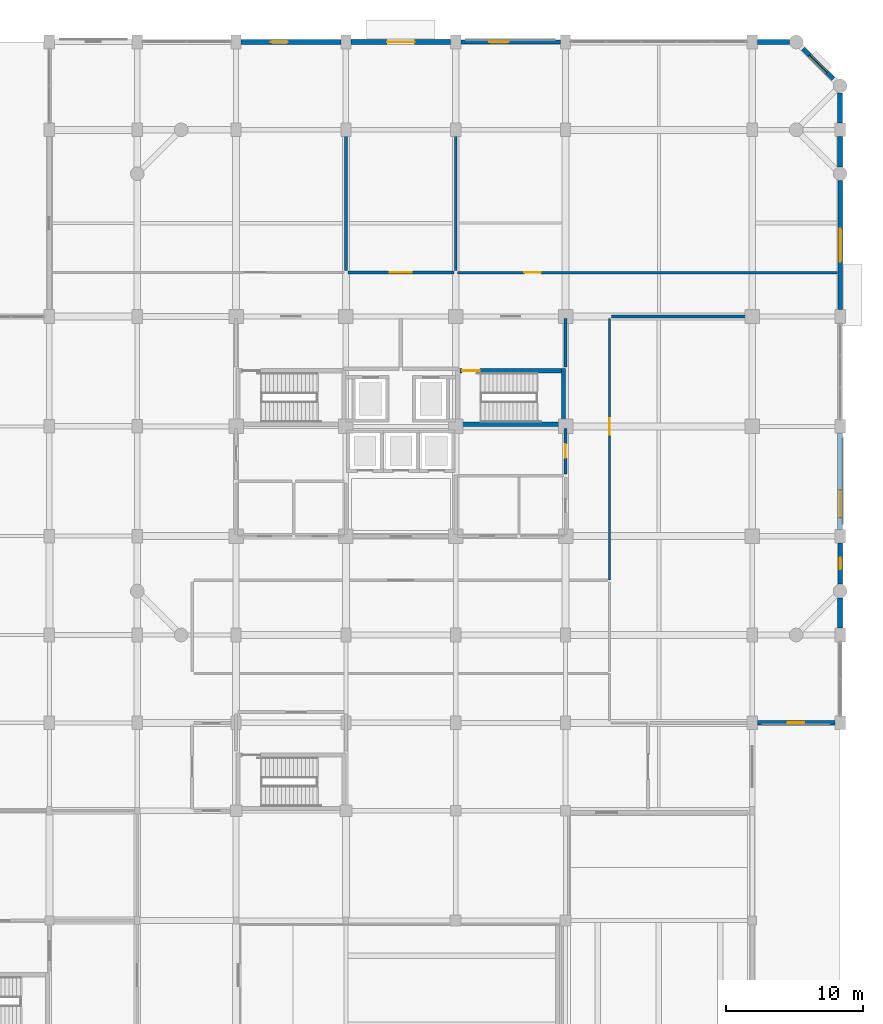
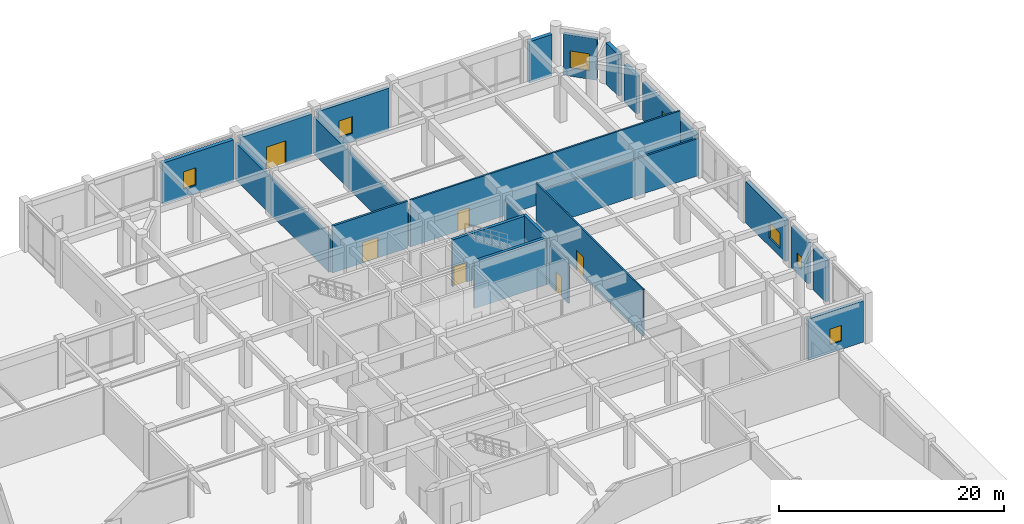
# One storey, part 34 of 40: 23 walls, 7 windows, 6 doors, 13 openings.
"""IFC4 building model written with IfcOpenShell, lengths in metres."""

from ifc_helpers import new_model, si_unit, direction, frame, frame_2d, origin, place, context, subcontext, project, spatial, rectangle, extrude, material, layer, layer_set, type_object, element, fill, save


model = new_model("IFC4")

# Units and contexts
model_context = context("Model", 3, precision=1e-05, world=origin(), true_north=direction((0.0, 1.0)))
body_context = subcontext(model_context, "Body", "Model", "MODEL_VIEW")
ifc_project = project(units=[si_unit("LENGTHUNIT", "METRE"), si_unit("AREAUNIT", "SQUARE_METRE"), si_unit("VOLUMEUNIT", "CUBIC_METRE"), si_unit("PLANEANGLEUNIT", "RADIAN"), si_unit("MASSUNIT", "GRAM", prefix="KILO")], contexts=[model_context])

# Site, building, storey
site_placement = place(None, origin())
site = spatial("IfcSite", under=ifc_project, at=site_placement, CompositionType="ELEMENT")
building_placement = place(site_placement, origin())
building = spatial("IfcBuilding", under=site, at=building_placement, Name="Vellmiral Cinema and Media Centre", CompositionType="ELEMENT")
storey_placement = place(building_placement, origin())
storey = spatial("IfcBuildingStorey", under=building, at=storey_placement, Name="L00", CompositionType="ELEMENT", Elevation=0.0)

# Wall, opening, door
ifc_material_1 = material(Name="Concrete C40/50", Category="concrete")
ifc_layer_1 = layer(ifc_material_1, 0.2099609375, Name="Concrete C40/50")
ifc_layer_set_1 = layer_set([ifc_layer_1], Name="Concrete C40/50")
wall_type_1 = type_object("IfcWallType", Name="WL-COMP-210", PredefinedType="SOLIDWALL", material=ifc_layer_set_1)
wall_1_placement = place(storey_placement, frame((148.0, 83.739990234375, 0.0), z_axis=(0.0, 0.0, 1.0), x_axis=(0.0, 1.0, 0.0)))
wall_1 = element("IfcWall", 1, at=wall_1_placement, inside=storey, type_object=wall_type_1, Name="Mechanical Riser and Duct Room Wall E", PredefinedType="SOLIDWALL", context=body_context, shape_type="SweptSolid", body=[
    extrude(rectangle(XDim=3.320068359375, YDim=0.2099609375, at=frame_2d((1.66015625, 0.0))), origin(), (0.0, 0.0, 1.0), 4.375),
])
opening_1_placement = place(wall_1_placement, frame((1.159912109375, 0.0, 0.0)))
opening_1 = element("IfcOpeningElement", 2, at=opening_1_placement, cuts=wall_1, Name="Opening D-FD30B", PredefinedType="OPENING", context=body_context, shape_type="SweptSolid", body=[
    extrude(rectangle(XDim=1.0, YDim=2.14990234375, at=frame_2d((0.5, 1.074951171875))), frame((0.0, 0.116943359375, 0.0), z_axis=(0.0, -1.0, 0.0), x_axis=(1.0, 0.0, 0.0)), (0.0, 0.0, 1.0), 0.23388671875),
])
ifc_material_2 = material(Name="Steel Riser Fire Door", Category="steel")
door_type_1 = type_object("IfcDoorType", Name="DR-FD30-1000x2150", OperationType="NOTDEFINED", PredefinedType="DOOR", material=ifc_material_2)
door_1_placement = place(opening_1_placement, origin())
door_1 = element("IfcDoor", 3, at=door_1_placement, inside=storey, type_object=door_type_1, Name="Mechanical Riser and Duct Room Door", OperationType="SINGLE_SWING_RIGHT", OverallHeight=2.14990234375, OverallWidth=1.0, PredefinedType="DOOR", context=body_context, shape_type="SweptSolid", body=[
    extrude(rectangle(XDim=1.0, YDim=2.14990234375, at=frame_2d((0.5, 1.074951171875))), frame((0.0, 0.02490234375, 0.0), z_axis=(0.0, -1.0, 0.0), x_axis=(1.0, 0.0, 0.0)), (0.0, 0.0, 1.0), 0.050048828125),
])
fill(opening_1, door_1)

wall_2_placement = place(storey_placement, frame((132.139892578125, 98.39990234375, 0.0), z_axis=(0.0, 0.0, 1.0), x_axis=(1.0, 0.0, 0.0)))
wall_2 = element("IfcWall", 4, at=wall_2_placement, inside=storey, type_object=wall_type_1, Name="Tower North Protected Exit Vestibule Wall S", PredefinedType="SOLIDWALL", context=body_context, shape_type="SweptSolid", body=[
    extrude(rectangle(XDim=7.72021484375, YDim=0.2099609375, at=frame_2d((3.860107421875, 0.0))), origin(), (0.0, 0.0, 1.0), 5.080078125),
])
opening_2_placement = place(wall_2_placement, frame((3.06005859375, 0.0, 0.0)))
opening_2 = element("IfcOpeningElement", 5, at=opening_2_placement, cuts=wall_2, Name="Opening D-FD60A", PredefinedType="OPENING", context=body_context, shape_type="SweptSolid", body=[
    extrude(rectangle(XDim=1.60009765625, YDim=2.199951171875, at=frame_2d((0.800048828125, 1.10009765625))), frame((0.0, 0.116943359375, 0.0), z_axis=(0.0, -1.0, 0.0), x_axis=(1.0, 0.0, 0.0)), (0.0, 0.0, 1.0), 0.23388671875),
])
ifc_material_3 = material(Name="Steel Fire Door", Category="steel")
door_type_2 = type_object("IfcDoorType", Name="DR-FD60-1600x2200", OperationType="DOUBLE_DOOR_SINGLE_SWING", PredefinedType="DOOR", material=ifc_material_3)
door_2_placement = place(opening_2_placement, origin())
door_2 = element("IfcDoor", 6, at=door_2_placement, inside=storey, type_object=door_type_2, Name="Tower North Protected Exit Vestibule Door", OperationType="DOUBLE_DOOR_SINGLE_SWING", OverallHeight=2.199951171875, OverallWidth=1.60009765625, PredefinedType="DOOR", context=body_context, shape_type="SweptSolid", body=[
    extrude(rectangle(XDim=1.60009765625, YDim=2.199951171875, at=frame_2d((0.800048828125, 1.10009765625))), frame((0.0, 0.02490234375, 0.0), z_axis=(0.0, -1.0, 0.0), x_axis=(1.0, 0.0, 0.0)), (0.0, 0.0, 1.0), 0.050048828125),
])
fill(opening_2, door_2)

# Walls
for number, where, z_axis, x_axis, name in (
    (7, (132.0, 98.5400390625, 0.0), (0.0, 0.0, 1.0), (0.0, 1.0, 0.0), "Tower North Protected Exit Vestibule Wall W"),
    (8, (140.0, 98.5400390625, 0.0), (0.0, 0.0, 1.0), (0.0, 1.0, 0.0), "Tower North Protected Exit Vestibule Wall E"),
):
    element("IfcWall", number, at=place(storey_placement, frame(where, z_axis=z_axis, x_axis=x_axis)), inside=storey, type_object=wall_type_1, Name=name, PredefinedType="SOLIDWALL", context=body_context, shape_type="SweptSolid", body=[
        extrude(rectangle(XDim=16.554931640625, YDim=0.2099609375, at=frame_2d((8.27734375, 0.0))), origin(), (0.0, 0.0, 1.0), 4.02490234375),
    ])
ifc_material_4 = material(Name="Concrete C40/50", Category="concrete")
ifc_layer_2 = layer(ifc_material_4, 0.300048828125, Name="Concrete C40/50")
ifc_layer_set_2 = layer_set([ifc_layer_2], Name="Concrete C40/50")
wall_type_2 = type_object("IfcWallType", Name="WL-CORE-300", PredefinedType="SHEAR", material=ifc_layer_set_2)
wall_3_placement = place(storey_placement, frame((147.85009765625, 87.199951171875, 0.0), z_axis=(0.0, 0.0, 1.0), x_axis=(0.0, 1.0, 0.0)))
element("IfcWall", 9, at=wall_3_placement, inside=storey, type_object=wall_type_2, Name="Stair Core Wall ST-T2 L00-E", PredefinedType="SHEAR", context=body_context, shape_type="SweptSolid", body=[
    extrude(rectangle(XDim=4.199951171875, YDim=0.300048828125, at=frame_2d((2.10009765625, 0.0))), origin(), (0.0, 0.0, 1.0), 5.080078125),
])
wall_4_placement = place(storey_placement, frame((140.300048828125, 87.35009765625, 0.0), z_axis=(0.0, 0.0, 1.0), x_axis=(1.0, 0.0, 0.0)))
element("IfcWall", 10, at=wall_4_placement, inside=storey, type_object=wall_type_2, Name="Stair Core Wall ST-T2 L00-S", PredefinedType="SHEAR", context=body_context, shape_type="SweptSolid", body=[
    extrude(rectangle(XDim=7.39990234375, YDim=0.300048828125, at=frame_2d((3.699951171875, 0.0))), origin(), (0.0, 0.0, 1.0), 5.080078125),
])

# Wall, opening, door
wall_5_placement = place(storey_placement, frame((140.300048828125, 91.25, 0.0), z_axis=(0.0, 0.0, 1.0), x_axis=(1.0, 0.0, 0.0)))
wall_5 = element("IfcWall", 11, at=wall_5_placement, inside=storey, type_object=wall_type_2, Name="Stair Core Wall ST-T2 L00-N", PredefinedType="SHEAR", context=body_context, shape_type="SweptSolid", body=[
    extrude(rectangle(XDim=7.39990234375, YDim=0.300048828125, at=frame_2d((3.699951171875, 0.0))), origin(), (0.0, 0.0, 1.0), 5.080078125),
])
opening_3_placement = place(wall_5_placement, frame((0.159912109375, 0.0, 0.0)))
opening_3 = element("IfcOpeningElement", 12, at=opening_3_placement, cuts=wall_5, Name="Opening D-FD30A", PredefinedType="OPENING", context=body_context, shape_type="SweptSolid", body=[
    extrude(rectangle(XDim=1.300048828125, YDim=2.179931640625, at=frame_2d((0.64990234375, 1.08984375))), frame((0.0, 0.162109375, 0.0), z_axis=(0.0, -1.0, 0.0), x_axis=(1.0, 0.0, 0.0)), (0.0, 0.0, 1.0), 0.323974609375),
])
ifc_material_5 = material(Name="Steel Stair Fire Door", Category="steel")
door_type_3 = type_object("IfcDoorType", Name="DR-FD30-1300x2180", OperationType="NOTDEFINED", PredefinedType="DOOR", material=ifc_material_5)
door_3_placement = place(opening_3_placement, origin())
door_3 = element("IfcDoor", 13, at=door_3_placement, inside=storey, type_object=door_type_3, Name="Protected Stair Door ST-T2 L00", OperationType="SINGLE_SWING_LEFT", OverallHeight=2.179931640625, OverallWidth=1.300048828125, PredefinedType="DOOR", context=body_context, shape_type="SweptSolid", body=[
    extrude(rectangle(XDim=1.300048828125, YDim=2.179931640625, at=frame_2d((0.64990234375, 1.08984375))), frame((0.0, 0.02490234375, 0.0), z_axis=(0.0, -1.0, 0.0), x_axis=(1.0, 0.0, 0.0)), (0.0, 0.0, 1.0), 0.050048828125),
])
fill(opening_3, door_3)

# Wall, opening, window
ifc_material_6 = material(Name="Polychrome Glazed Ceramic Cladding", Category="masonry")
ifc_layer_3 = layer(ifc_material_6, 0.320068359375, Name="Polychrome Glazed Ceramic Cladding")
ifc_layer_set_3 = layer_set([ifc_layer_3], Name="Polychrome Glazed Ceramic Cladding")
wall_type_3 = type_object("IfcWallType", Name="WL-EXT-BRICK-320", PredefinedType="SOLIDWALL", material=ifc_layer_set_3)
wall_6_placement = place(storey_placement, frame((161.97509765625, 65.60009765625, 0.0), z_axis=(0.0, 0.0, 1.0), x_axis=(1.0, 0.0, 0.0)))
wall_6 = element("IfcWall", 14, at=wall_6_placement, inside=storey, type_object=wall_type_3, Name="Exterior Facade Wall L00-036", PredefinedType="SOLIDWALL", context=body_context, shape_type="SweptSolid", body=[
    extrude(rectangle(XDim=5.64990234375, YDim=0.320068359375, at=frame_2d((2.824951171875, 0.0))), origin(), (0.0, 0.0, 1.0), 4.47998046875),
])
opening_4_placement = place(wall_6_placement, frame((2.22509765625, 0.0, 0.89990234375)))
opening_4 = element("IfcOpeningElement", 15, at=opening_4_placement, cuts=wall_6, Name="Opening WN-10", PredefinedType="OPENING", context=body_context, shape_type="SweptSolid", body=[
    extrude(rectangle(XDim=1.199951171875, YDim=1.699951171875, at=frame_2d((0.60009765625, 0.85009765625))), frame((0.0, 0.171875, 0.0), z_axis=(0.0, -1.0, 0.0), x_axis=(1.0, 0.0, 0.0)), (0.0, 0.0, 1.0), 0.343994140625),
])
ifc_material_7 = material(Name="Thermally Broken Aluminium Triple Glazing", Category="aluminium")
window_type_1 = type_object("IfcWindowType", Name="WN-1200x1700", PartitioningType="SINGLE_PANEL", PredefinedType="WINDOW", material=ifc_material_7)
window_1_placement = place(opening_4_placement, origin())
window_1 = element("IfcWindow", 16, at=window_1_placement, inside=storey, type_object=window_type_1, Name="Window L00-036", OverallHeight=1.699951171875, OverallWidth=1.199951171875, PartitioningType="SINGLE_PANEL", PredefinedType="WINDOW", context=body_context, shape_type="SweptSolid", body=[
    extrude(rectangle(XDim=1.199951171875, YDim=1.699951171875, at=frame_2d((0.60009765625, 0.85009765625))), frame((0.0, 0.030029296875, 0.0), z_axis=(0.0, -1.0, 0.0), x_axis=(1.0, 0.0, 0.0)), (0.0, 0.0, 1.0), 0.06005859375),
])
fill(opening_4, window_1)

wall_7_placement = place(storey_placement, frame((168.0, 75.699951171875, 0.0), z_axis=(0.0, 0.0, 1.0), x_axis=(0.0, 1.0, 0.0)))
wall_7 = element("IfcWall", 17, at=wall_7_placement, inside=storey, type_object=wall_type_3, Name="Exterior Facade Wall L00-039", PredefinedType="SOLIDWALL", context=body_context, shape_type="SweptSolid", body=[
    extrude(rectangle(XDim=3.0, YDim=0.320068359375, at=frame_2d((1.5, 0.0))), origin(), (0.0, 0.0, 1.0), 4.465087890625),
])
opening_5_placement = place(wall_7_placement, frame((1.074951171875, 0.0, 0.89990234375)))
opening_5 = element("IfcOpeningElement", 18, at=opening_5_placement, cuts=wall_7, Name="Opening WN-13", PredefinedType="OPENING", context=body_context, shape_type="SweptSolid", body=[
    extrude(rectangle(XDim=0.85009765625, YDim=1.35009765625, at=frame_2d((0.425048828125, 0.675048828125))), frame((0.0, 0.171875, 0.0), z_axis=(0.0, -1.0, 0.0), x_axis=(1.0, 0.0, 0.0)), (0.0, 0.0, 1.0), 0.343994140625),
])
ifc_material_8 = material(Name="Thermally Broken Aluminium Triple Glazing", Category="aluminium")
window_type_2 = type_object("IfcWindowType", Name="WN-0850x1350", PartitioningType="SINGLE_PANEL", PredefinedType="WINDOW", material=ifc_material_8)
window_2_placement = place(opening_5_placement, origin())
window_2 = element("IfcWindow", 19, at=window_2_placement, inside=storey, type_object=window_type_2, Name="Window L00-039", OverallHeight=1.35009765625, OverallWidth=0.85009765625, PartitioningType="SINGLE_PANEL", PredefinedType="WINDOW", context=body_context, shape_type="SweptSolid", body=[
    extrude(rectangle(XDim=0.85009765625, YDim=1.35009765625, at=frame_2d((0.425048828125, 0.675048828125))), frame((0.0, 0.030029296875, 0.0), z_axis=(0.0, -1.0, 0.0), x_axis=(1.0, 0.0, 0.0)), (0.0, 0.0, 1.0), 0.06005859375),
])
fill(opening_5, window_2)

wall_8_placement = place(storey_placement, frame((168.0, 95.699951171875, 0.0), z_axis=(0.0, 0.0, 1.0), x_axis=(0.0, 1.0, 0.0)))
wall_8 = element("IfcWall", 20, at=wall_8_placement, inside=storey, type_object=wall_type_3, Name="Exterior Facade Wall L00-042", PredefinedType="SOLIDWALL", context=body_context, shape_type="SweptSolid", body=[
    extrude(rectangle(XDim=9.400146484375, YDim=0.320068359375, at=frame_2d((4.7001953125, 0.0))), origin(), (0.0, 0.0, 1.0), 4.06494140625),
])
opening_6_placement = place(wall_8_placement, frame((3.5, 0.0, 0.89990234375)))
opening_6 = element("IfcOpeningElement", 21, at=opening_6_placement, cuts=wall_8, Name="Opening WN-01", PredefinedType="OPENING", context=body_context, shape_type="SweptSolid", body=[
    extrude(rectangle(XDim=2.39990234375, YDim=2.199951171875, at=frame_2d((1.199951171875, 1.10009765625))), frame((0.0, 0.171875, 0.0), z_axis=(0.0, -1.0, 0.0), x_axis=(1.0, 0.0, 0.0)), (0.0, 0.0, 1.0), 0.343994140625),
])
ifc_material_9 = material(Name="Thermally Broken Aluminium Triple Glazing", Category="aluminium")
window_type_3 = type_object("IfcWindowType", Name="WN-2400x2200", PartitioningType="DOUBLE_PANEL_VERTICAL", PredefinedType="WINDOW", material=ifc_material_9)
window_3_placement = place(opening_6_placement, origin())
window_3 = element("IfcWindow", 22, at=window_3_placement, inside=storey, type_object=window_type_3, Name="Window L00-042", OverallHeight=2.199951171875, OverallWidth=2.39990234375, PartitioningType="DOUBLE_PANEL_VERTICAL", PredefinedType="WINDOW", context=body_context, shape_type="SweptSolid", body=[
    extrude(rectangle(XDim=2.39990234375, YDim=2.199951171875, at=frame_2d((1.199951171875, 1.10009765625))), frame((0.0, 0.030029296875, 0.0), z_axis=(0.0, -1.0, 0.0), x_axis=(1.0, 0.0, 0.0)), (0.0, 0.0, 1.0), 0.06005859375),
])
fill(opening_6, window_3)

wall_9_placement = place(storey_placement, frame((167.5, 112.5, 0.0), z_axis=(0.0, 0.0, 1.0), x_axis=(-0.707106781187, 0.707106781187, 0.0)))
wall_9 = element("IfcWall", 23, at=wall_9_placement, inside=storey, type_object=wall_type_3, Name="Exterior Facade Wall L00-045", PredefinedType="SOLIDWALL", context=body_context, shape_type="SweptSolid", body=[
    extrude(rectangle(XDim=3.111083984375, YDim=0.320068359375, at=frame_2d((1.5556640625, 0.0))), origin(), (0.0, 0.0, 1.0), 4.47509765625),
])
opening_7_placement = place(wall_9_placement, frame((0.655517578125, 0.0, 0.89990234375)))
opening_7 = element("IfcOpeningElement", 24, at=opening_7_placement, cuts=wall_9, Name="Opening WN-04", PredefinedType="OPENING", context=body_context, shape_type="SweptSolid", body=[
    extrude(rectangle(XDim=1.800048828125, YDim=1.85009765625, at=frame_2d((0.89990234375, 0.925048828125))), frame((0.0, 0.171875, 0.0), z_axis=(0.0, -1.0, 0.0), x_axis=(1.0, 0.0, 0.0)), (0.0, 0.0, 1.0), 0.343994140625),
])
ifc_material_10 = material(Name="Thermally Broken Aluminium Triple Glazing", Category="aluminium")
window_type_4 = type_object("IfcWindowType", Name="WN-1800x1850", PartitioningType="DOUBLE_PANEL_VERTICAL", PredefinedType="WINDOW", material=ifc_material_10)
window_4_placement = place(opening_7_placement, origin())
window_4 = element("IfcWindow", 25, at=window_4_placement, inside=storey, type_object=window_type_4, Name="Window L00-045", OverallHeight=1.85009765625, OverallWidth=1.800048828125, PartitioningType="DOUBLE_PANEL_VERTICAL", PredefinedType="WINDOW", context=body_context, shape_type="SweptSolid", body=[
    extrude(rectangle(XDim=1.800048828125, YDim=1.85009765625, at=frame_2d((0.89990234375, 0.925048828125))), frame((0.0, 0.030029296875, 0.0), z_axis=(0.0, -1.0, 0.0), x_axis=(1.0, 0.0, 0.0)), (0.0, 0.0, 1.0), 0.06005859375),
])
fill(opening_7, window_4)

wall_10_placement = place(storey_placement, frame((147.625, 115.199951171875, 0.0), z_axis=(0.0, 0.0, 1.0), x_axis=(-1.0, 0.0, 0.0)))
wall_10 = element("IfcWall", 26, at=wall_10_placement, inside=storey, type_object=wall_type_3, Name="Exterior Facade Wall L00-048", PredefinedType="SOLIDWALL", context=body_context, shape_type="SweptSolid", body=[
    extrude(rectangle(XDim=7.25, YDim=0.320068359375, at=frame_2d((3.625, 0.0))), origin(), (0.0, 0.0, 1.0), 4.47998046875),
])
opening_8_placement = place(wall_10_placement, frame((3.77490234375, 0.0, 0.89990234375)))
opening_8 = element("IfcOpeningElement", 27, at=opening_8_placement, cuts=wall_10, Name="Opening WN-07", PredefinedType="OPENING", context=body_context, shape_type="SweptSolid", body=[
    extrude(rectangle(XDim=1.39990234375, YDim=1.800048828125, at=frame_2d((0.699951171875, 0.89990234375))), frame((0.0, 0.171875, 0.0), z_axis=(0.0, -1.0, 0.0), x_axis=(1.0, 0.0, 0.0)), (0.0, 0.0, 1.0), 0.343994140625),
])
ifc_material_11 = material(Name="Thermally Broken Aluminium Triple Glazing", Category="aluminium")
window_type_5 = type_object("IfcWindowType", Name="WN-1400x1800", PartitioningType="SINGLE_PANEL", PredefinedType="WINDOW", material=ifc_material_11)
window_5_placement = place(opening_8_placement, origin())
window_5 = element("IfcWindow", 28, at=window_5_placement, inside=storey, type_object=window_type_5, Name="Window L00-048", OverallHeight=1.800048828125, OverallWidth=1.39990234375, PartitioningType="SINGLE_PANEL", PredefinedType="WINDOW", context=body_context, shape_type="SweptSolid", body=[
    extrude(rectangle(XDim=1.39990234375, YDim=1.800048828125, at=frame_2d((0.699951171875, 0.89990234375))), frame((0.0, 0.030029296875, 0.0), z_axis=(0.0, -1.0, 0.0), x_axis=(1.0, 0.0, 0.0)), (0.0, 0.0, 1.0), 0.06005859375),
])
fill(opening_8, window_5)

# Wall
ifc_material_12 = material(Name="Vosges Red Sandstone Masonry", Category="masonry")
ifc_layer_4 = layer(ifc_material_12, 0.3798828125, Name="Vosges Red Sandstone Masonry")
ifc_layer_set_4 = layer_set([ifc_layer_4], Name="Vosges Red Sandstone Masonry")
wall_type_4 = type_object("IfcWallType", Name="WL-EXT-SAND-380", PredefinedType="SOLIDWALL", material=ifc_layer_set_4)
wall_11_placement = place(storey_placement, frame((168.0, 72.5, 0.0), z_axis=(0.0, 0.0, 1.0), x_axis=(0.0, 1.0, 0.0)))
element("IfcWall", 29, at=wall_11_placement, inside=storey, type_object=wall_type_4, Name="Exterior Facade Wall L00-038", PredefinedType="SOLIDWALL", context=body_context, shape_type="SweptSolid", body=[
    extrude(rectangle(XDim=2.199951171875, YDim=0.3798828125, at=frame_2d((1.10009765625, 0.0))), origin(), (0.0, 0.0, 1.0), 4.465087890625),
])

# Wall, opening, window
wall_12_placement = place(storey_placement, frame((168.0, 79.699951171875, 0.0), z_axis=(0.0, 0.0, 1.0), x_axis=(0.0, 1.0, 0.0)))
wall_12 = element("IfcWall", 30, at=wall_12_placement, inside=storey, type_object=wall_type_4, Name="Exterior Facade Wall L00-040", PredefinedType="SOLIDWALL", context=body_context, shape_type="SweptSolid", body=[
    extrude(rectangle(XDim=7.0, YDim=0.3798828125, at=frame_2d((3.5, 0.0))), origin(), (0.0, 0.0, 1.0), 4.47998046875),
])
opening_9_placement = place(wall_12_placement, frame((0.85009765625, 0.0, 0.89990234375)))
opening_9 = element("IfcOpeningElement", 31, at=opening_9_placement, cuts=wall_12, Name="Opening WN-14", PredefinedType="OPENING", context=body_context, shape_type="SweptSolid", body=[
    extrude(rectangle(XDim=2.0, YDim=1.64990234375, at=frame_2d((1.0, 0.824951171875))), frame((0.0, 0.201904296875, 0.0), z_axis=(0.0, -1.0, 0.0), x_axis=(1.0, 0.0, 0.0)), (0.0, 0.0, 1.0), 0.40380859375),
])
ifc_material_13 = material(Name="Thermally Broken Aluminium Triple Glazing", Category="aluminium")
window_type_6 = type_object("IfcWindowType", Name="WN-2000x1650", PartitioningType="DOUBLE_PANEL_HORIZONTAL", PredefinedType="WINDOW", material=ifc_material_13)
window_6_placement = place(opening_9_placement, origin())
window_6 = element("IfcWindow", 32, at=window_6_placement, inside=storey, type_object=window_type_6, Name="Window L00-040", OverallHeight=1.64990234375, OverallWidth=2.0, PartitioningType="DOUBLE_PANEL_HORIZONTAL", PredefinedType="WINDOW", context=body_context, shape_type="SweptSolid", body=[
    extrude(rectangle(XDim=2.0, YDim=1.64990234375, at=frame_2d((1.0, 0.824951171875))), frame((0.0, 0.030029296875, 0.0), z_axis=(0.0, -1.0, 0.0), x_axis=(1.0, 0.0, 0.0)), (0.0, 0.0, 1.0), 0.06005859375),
])
fill(opening_9, window_6)

# Walls
wall_13_placement = place(storey_placement, frame((168.0, 106.10009765625, 0.0), z_axis=(0.0, 0.0, 1.0), x_axis=(0.0, 1.0, 0.0)))
element("IfcWall", 33, at=wall_13_placement, inside=storey, type_object=wall_type_4, Name="Exterior Facade Wall L00-043", PredefinedType="SOLIDWALL", context=body_context, shape_type="SweptSolid", body=[
    extrude(rectangle(XDim=2.199951171875, YDim=0.3798828125, at=frame_2d((1.10009765625, 0.0))), origin(), (0.0, 0.0, 1.0), 4.06494140625),
])
wall_14_placement = place(storey_placement, frame((168.0, 109.300048828125, 0.0), z_axis=(0.0, 0.0, 1.0), x_axis=(0.0, 1.0, 0.0)))
element("IfcWall", 34, at=wall_14_placement, inside=storey, type_object=wall_type_4, Name="Exterior Facade Wall L00-044", PredefinedType="SOLIDWALL", context=body_context, shape_type="SweptSolid", body=[
    extrude(rectangle(XDim=2.199951171875, YDim=0.3798828125, at=frame_2d((1.10009765625, 0.0))), origin(), (0.0, 0.0, 1.0), 4.47998046875),
])
wall_15_placement = place(storey_placement, frame((164.300048828125, 115.199951171875, 0.0), z_axis=(0.0, 0.0, 1.0), x_axis=(-1.0, 0.0, 0.0)))
element("IfcWall", 35, at=wall_15_placement, inside=storey, type_object=wall_type_4, Name="Exterior Facade Wall L00-046", PredefinedType="SOLIDWALL", context=body_context, shape_type="SweptSolid", body=[
    extrude(rectangle(XDim=2.324951171875, YDim=0.3798828125, at=frame_2d((1.16259765625, 0.0))), origin(), (0.0, 0.0, 1.0), 4.47998046875),
])

# Wall, opening, door
wall_16_placement = place(storey_placement, frame((139.625, 115.199951171875, 0.0), z_axis=(0.0, 0.0, 1.0), x_axis=(-1.0, 0.0, 0.0)))
wall_16 = element("IfcWall", 36, at=wall_16_placement, inside=storey, type_object=wall_type_4, Name="Exterior Facade Wall L00-049", PredefinedType="SOLIDWALL", context=body_context, shape_type="SweptSolid", body=[
    extrude(rectangle(XDim=7.25, YDim=0.3798828125, at=frame_2d((3.625, 0.0))), origin(), (0.0, 0.0, 1.0), 4.465087890625),
])
opening_10_placement = place(wall_16_placement, frame((2.625, 0.0, 0.0)))
opening_10 = element("IfcOpeningElement", 37, at=opening_10_placement, cuts=wall_16, Name="Opening DE-01", PredefinedType="OPENING", context=body_context, shape_type="SweptSolid", body=[
    extrude(rectangle(XDim=2.0, YDim=2.5, at=frame_2d((1.0, 1.25))), frame((0.0, 0.201904296875, 0.0), z_axis=(0.0, -1.0, 0.0), x_axis=(1.0, 0.0, 0.0)), (0.0, 0.0, 1.0), 0.40380859375),
])
ifc_material_14 = material(Name="Thermally Broken Glazed Aluminium and Bronze Door", Category="aluminium")
door_type_4 = type_object("IfcDoorType", Name="DR-ENT-2000x2500", OperationType="DOUBLE_DOOR_SINGLE_SWING", PredefinedType="DOOR", material=ifc_material_14)
door_4_placement = place(opening_10_placement, frame((2.0, 0.0, 0.0), z_axis=(0.0, 0.0, 1.0), x_axis=(-1.0, 0.0, 0.0)))
door_4 = element("IfcDoor", 38, at=door_4_placement, inside=storey, type_object=door_type_4, Name="Tower North Klybeck Entrance", OperationType="DOUBLE_DOOR_SINGLE_SWING", OverallHeight=2.5, OverallWidth=2.0, PredefinedType="DOOR", context=body_context, shape_type="SweptSolid", body=[
    extrude(rectangle(XDim=2.0, YDim=2.5, at=frame_2d((1.0, 1.25))), frame((0.0, 0.02490234375, 0.0), z_axis=(0.0, -1.0, 0.0), x_axis=(1.0, 0.0, 0.0)), (0.0, 0.0, 1.0), 0.050048828125),
])
fill(opening_10, door_4)

# Wall, opening, window
wall_17_placement = place(storey_placement, frame((131.625, 115.199951171875, 0.0), z_axis=(0.0, 0.0, 1.0), x_axis=(-1.0, 0.0, 0.0)))
wall_17 = element("IfcWall", 39, at=wall_17_placement, inside=storey, type_object=wall_type_4, Name="Exterior Facade Wall L00-050", PredefinedType="SOLIDWALL", context=body_context, shape_type="SweptSolid", body=[
    extrude(rectangle(XDim=7.25, YDim=0.3798828125, at=frame_2d((3.625, 0.0))), origin(), (0.0, 0.0, 1.0), 4.47998046875),
])
opening_11_placement = place(wall_17_placement, frame((3.85009765625, 0.0, 0.89990234375)))
opening_11 = element("IfcOpeningElement", 40, at=opening_11_placement, cuts=wall_17, Name="Opening WN-09", PredefinedType="OPENING", context=body_context, shape_type="SweptSolid", body=[
    extrude(rectangle(XDim=1.25, YDim=1.89990234375, at=frame_2d((0.625, 0.949951171875))), frame((0.0, 0.201904296875, 0.0), z_axis=(0.0, -1.0, 0.0), x_axis=(1.0, 0.0, 0.0)), (0.0, 0.0, 1.0), 0.40380859375),
])
ifc_material_15 = material(Name="Thermally Broken Aluminium Triple Glazing", Category="aluminium")
window_type_7 = type_object("IfcWindowType", Name="WN-1250x1900", PartitioningType="SINGLE_PANEL", PredefinedType="WINDOW", material=ifc_material_15)
window_7_placement = place(opening_11_placement, origin())
window_7 = element("IfcWindow", 41, at=window_7_placement, inside=storey, type_object=window_type_7, Name="Window L00-050", OverallHeight=1.89990234375, OverallWidth=1.25, PartitioningType="SINGLE_PANEL", PredefinedType="WINDOW", context=body_context, shape_type="SweptSolid", body=[
    extrude(rectangle(XDim=1.25, YDim=1.89990234375, at=frame_2d((0.625, 0.949951171875))), frame((0.0, 0.030029296875, 0.0), z_axis=(0.0, -1.0, 0.0), x_axis=(1.0, 0.0, 0.0)), (0.0, 0.0, 1.0), 0.06005859375),
])
fill(opening_11, window_7)

# Wall
ifc_material_16 = material(Name="Concrete C40/50", Category="concrete")
ifc_layer_5 = layer(ifc_material_16, 0.22998046875, Name="Concrete C40/50")
ifc_layer_set_5 = layer_set([ifc_layer_5], Name="Concrete C40/50")
wall_type_5 = type_object("IfcWallType", Name="WL-FFL-230", PredefinedType="SOLIDWALL", material=ifc_layer_set_5)
wall_18_placement = place(storey_placement, frame((148.0, 91.5400390625, 0.0), z_axis=(0.0, 0.0, 1.0), x_axis=(0.0, 1.0, 0.0)))
element("IfcWall", 42, at=wall_18_placement, inside=storey, type_object=wall_type_5, Name="Firefighting Lobby East Wall E", PredefinedType="SOLIDWALL", context=body_context, shape_type="SweptSolid", body=[
    extrude(rectangle(XDim=3.52001953125, YDim=0.22998046875, at=frame_2d((1.760009765625, 0.0))), origin(), (0.0, 0.0, 1.0), 4.425048828125),
])

# Wall, opening, door
ifc_material_17 = material(Name="Gypsum Plasterboard")
ifc_layer_6 = layer(ifc_material_17, 0.02490234375, Name="Gypsum Plasterboard", Category="gypsum")
ifc_material_18 = material(Name="Mineral Wool Acoustic Insulation", Category="insulation")
ifc_layer_7 = layer(ifc_material_18, 0.10009765625, Name="Mineral Wool Acoustic Insulation", Category="insulation")
ifc_layer_8 = layer(ifc_material_17, 0.02490234375, Name="Gypsum Plasterboard", Category="gypsum")
ifc_layer_set_6 = layer_set([ifc_layer_6, ifc_layer_7, ifc_layer_8], Name="Gypsum Plasterboard")
wall_type_6 = type_object("IfcWallType", Name="WL-PART-150", PredefinedType="PARTITIONING", material=ifc_layer_set_6)
wall_19_placement = place(storey_placement, frame((151.199951171875, 76.0, 0.0), z_axis=(0.0, 0.0, 1.0), x_axis=(0.0, 1.0, 0.0)))
wall_19 = element("IfcWall", 43, at=wall_19_placement, inside=storey, type_object=wall_type_6, Name="Tower Ground Editorial Office Wall W", PredefinedType="PARTITIONING", context=body_context, shape_type="SweptSolid", body=[
    extrude(rectangle(XDim=19.06005859375, YDim=0.14990234375, at=frame_2d((9.530029296875, 0.0))), origin(), (0.0, 0.0, 1.0), 5.080078125),
])
opening_12_placement = place(wall_19_placement, frame((10.60009765625, 0.0, 0.0)))
opening_12 = element("IfcOpeningElement", 44, at=opening_12_placement, cuts=wall_19, Name="Opening D-I05", PredefinedType="OPENING", context=body_context, shape_type="SweptSolid", body=[
    extrude(rectangle(XDim=1.199951171875, YDim=2.14990234375, at=frame_2d((0.60009765625, 1.074951171875))), frame((0.0, 0.0869140625, 0.0), z_axis=(0.0, -1.0, 0.0), x_axis=(1.0, 0.0, 0.0)), (0.0, 0.0, 1.0), 0.173828125),
])
ifc_material_19 = material(Name="Laminated Timber Door", Category="wood")
door_type_5 = type_object("IfcDoorType", Name="DR-INT-1200x2150", OperationType="NOTDEFINED", PredefinedType="DOOR", material=ifc_material_19)
door_5_placement = place(opening_12_placement, frame((1.199951171875, 0.0, 0.0), z_axis=(0.0, 0.0, 1.0), x_axis=(-1.0, 0.0, 0.0)))
door_5 = element("IfcDoor", 45, at=door_5_placement, inside=storey, type_object=door_type_5, Name="Tower Ground Editorial Office Door", OperationType="SINGLE_SWING_LEFT", OverallHeight=2.14990234375, OverallWidth=1.199951171875, PredefinedType="DOOR", context=body_context, shape_type="SweptSolid", body=[
    extrude(rectangle(XDim=1.199951171875, YDim=2.14990234375, at=frame_2d((0.60009765625, 1.074951171875))), frame((0.0, 0.02490234375, 0.0), z_axis=(0.0, -1.0, 0.0), x_axis=(1.0, 0.0, 0.0)), (0.0, 0.0, 1.0), 0.050048828125),
])
fill(opening_12, door_5)

ifc_material_20 = material(Name="Gypsum Plasterboard")
ifc_layer_9 = layer(ifc_material_20, 0.02490234375, Name="Gypsum Plasterboard", Category="gypsum")
ifc_material_21 = material(Name="Mineral Wool Acoustic Insulation", Category="insulation")
ifc_layer_10 = layer(ifc_material_21, 0.1201171875, Name="Mineral Wool Acoustic Insulation", Category="insulation")
ifc_layer_11 = layer(ifc_material_20, 0.02490234375, Name="Gypsum Plasterboard", Category="gypsum")
ifc_layer_set_7 = layer_set([ifc_layer_9, ifc_layer_10, ifc_layer_11], Name="Gypsum Plasterboard")
wall_type_7 = type_object("IfcWallType", Name="WL-PART-170", PredefinedType="PARTITIONING", material=ifc_layer_set_7)
wall_20_placement = place(storey_placement, frame((140.139892578125, 98.39990234375, 0.0), z_axis=(0.0, 0.0, 1.0), x_axis=(1.0, 0.0, 0.0)))
wall_20 = element("IfcWall", 46, at=wall_20_placement, inside=storey, type_object=wall_type_7, Name="Tower North-East Editorial Suite Wall S", PredefinedType="PARTITIONING", context=body_context, shape_type="SweptSolid", body=[
    extrude(rectangle(XDim=27.68505859375, YDim=0.169921875, at=frame_2d((13.842529296875, 0.0))), origin(), (0.0, 0.0, 1.0), 5.080078125),
])
opening_13_placement = place(wall_20_placement, frame((4.860107421875, 0.0, 0.0)))
opening_13 = element("IfcOpeningElement", 47, at=opening_13_placement, cuts=wall_20, Name="Opening D-I05", PredefinedType="OPENING", context=body_context, shape_type="SweptSolid", body=[
    extrude(rectangle(XDim=1.199951171875, YDim=2.14990234375, at=frame_2d((0.60009765625, 1.074951171875))), frame((0.0, 0.096923828125, 0.0), z_axis=(0.0, -1.0, 0.0), x_axis=(1.0, 0.0, 0.0)), (0.0, 0.0, 1.0), 0.19384765625),
])
door_6_placement = place(opening_13_placement, origin())
door_6 = element("IfcDoor", 48, at=door_6_placement, inside=storey, type_object=door_type_5, Name="Tower North-East Editorial Suite Door", OperationType="SINGLE_SWING_LEFT", OverallHeight=2.14990234375, OverallWidth=1.199951171875, PredefinedType="DOOR", context=body_context, shape_type="SweptSolid", body=[
    extrude(rectangle(XDim=1.199951171875, YDim=2.14990234375, at=frame_2d((0.60009765625, 1.074951171875))), frame((0.0, 0.02490234375, 0.0), z_axis=(0.0, -1.0, 0.0), x_axis=(1.0, 0.0, 0.0)), (0.0, 0.0, 1.0), 0.050048828125),
])
fill(opening_13, door_6)

# Wall
ifc_material_22 = material(Name="Gypsum Plasterboard")
ifc_layer_12 = layer(ifc_material_22, 0.02490234375, Name="Gypsum Plasterboard", Category="gypsum")
ifc_material_23 = material(Name="Mineral Wool Acoustic Insulation", Category="insulation")
ifc_layer_13 = layer(ifc_material_23, 0.139892578125, Name="Mineral Wool Acoustic Insulation", Category="insulation")
ifc_layer_14 = layer(ifc_material_22, 0.02490234375, Name="Gypsum Plasterboard", Category="gypsum")
ifc_layer_set_8 = layer_set([ifc_layer_12, ifc_layer_13, ifc_layer_14], Name="Gypsum Plasterboard")
wall_type_8 = type_object("IfcWallType", Name="WL-PART-190", PredefinedType="PARTITIONING", material=ifc_layer_set_8)
wall_21_placement = place(storey_placement, frame((151.340087890625, 95.199951171875, 0.0), z_axis=(0.0, 0.0, 1.0), x_axis=(1.0, 0.0, 0.0)))
element("IfcWall", 49, at=wall_21_placement, inside=storey, type_object=wall_type_8, Name="Tower Ground Editorial Office Wall N", PredefinedType="PARTITIONING", context=body_context, shape_type="SweptSolid", body=[
    extrude(rectangle(XDim=16.554931640625, YDim=0.18994140625, at=frame_2d((8.27734375, 0.0))), origin(), (0.0, 0.0, 1.0), 4.02490234375),
])

save(model, "model.ifc")
